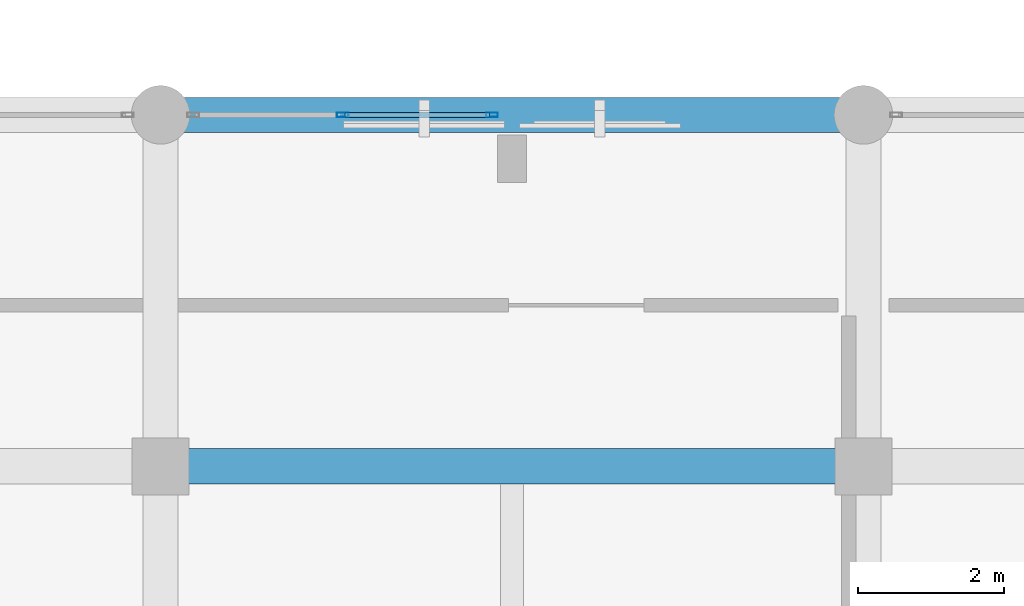
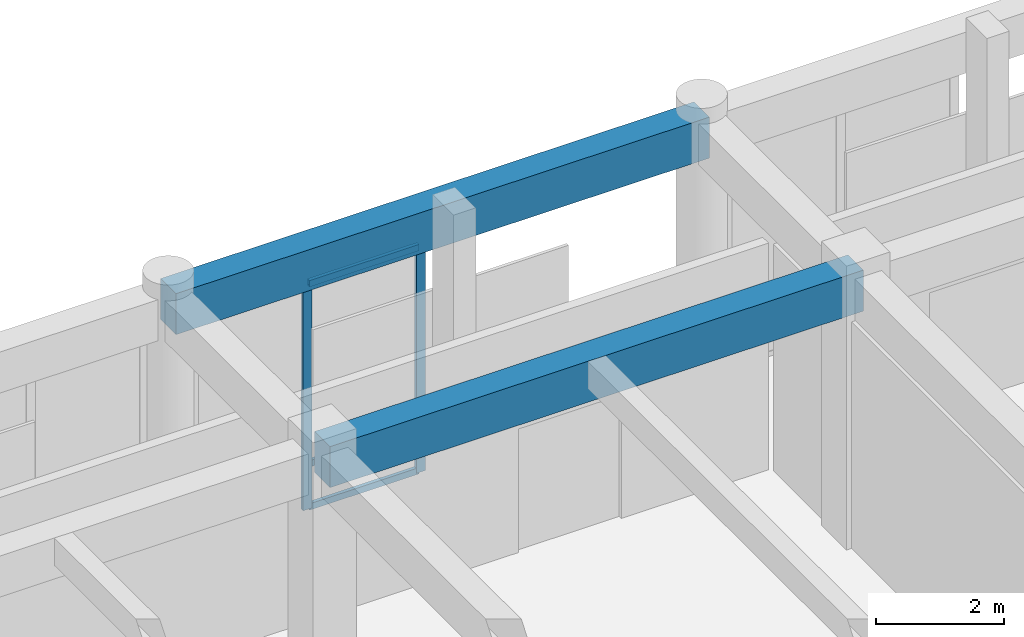
# One storey, part 27 of 134: 5 members, 2 beams, 1 element without a shape of its own.
"""IFC4 building model written with IfcOpenShell, lengths in metres."""

from ifc_helpers import new_model, si_unit, direction, frame, origin, origin_2d, place, context, subcontext, project, spatial, rectangle, hollow_rectangle, extrude, material, layer, layer_set, material_profile, profile_set, type_object, element, aggregate, save


model = new_model("IFC4")

# Units and contexts
model_context = context("Model", 3, precision=1e-05, world=origin(), true_north=direction((0.0, 1.0)))
body_context = subcontext(model_context, "Body", "Model", "MODEL_VIEW")
ifc_project = project(units=[si_unit("LENGTHUNIT", "METRE"), si_unit("AREAUNIT", "SQUARE_METRE"), si_unit("VOLUMEUNIT", "CUBIC_METRE"), si_unit("PLANEANGLEUNIT", "RADIAN"), si_unit("MASSUNIT", "GRAM", prefix="KILO")], contexts=[model_context])

# Site, building, storey
site_placement = place(None, origin())
site = spatial("IfcSite", under=ifc_project, at=site_placement, CompositionType="ELEMENT")
building_placement = place(site_placement, origin())
building = spatial("IfcBuilding", under=site, at=building_placement, Name="Nakhvara Creek Congress Hotel", CompositionType="ELEMENT")
storey_placement = place(building_placement, frame((0.0, 0.0, 6.0)))
storey = spatial("IfcBuildingStorey", under=building, at=storey_placement, Name="L01", CompositionType="ELEMENT", Elevation=6.0)

# Beams
ifc_material_1 = material(Name="Concrete C40/50", Category="concrete")
ifc_material_profile_1 = material_profile(ifc_material_1, rectangle(XDim=0.47998046875, YDim=0.780029296875, at=origin_2d()), Name="RC-BM 480x780", Category="LoadBearing")
ifc_profile_set_1 = profile_set([ifc_material_profile_1], Name="Concrete C40/50")
beam_type = type_object("IfcBeamType", Name="BM-RC-480X780", PredefinedType="BEAM", material=ifc_profile_set_1)
for number, where, z_axis, x_axis, name in (
    (1, (86.39990234375, 38.39990234375, 4.7099609375), (1.0, 0.0, 0.0), (0.0, 1.0, 0.0), "Beam B13-L01-1170"),
    (2, (86.39990234375, 43.199951171875, 4.7099609375), (1.0, 0.0, 0.0), (0.0, 1.0, 0.0), "Beam B13-L01-1171"),
):
    element("IfcBeam", number, at=place(storey_placement, frame(where, z_axis=z_axis, x_axis=x_axis)), inside=storey, type_object=beam_type, Name=name, PredefinedType="BEAM", context=body_context, shape_type="SweptSolid", body=[
        extrude(rectangle(XDim=0.47998046875, YDim=0.780029296875, at=origin_2d()), origin(), (0.0, 0.0, 1.0), 9.60009765625),
    ])

# Curtain wall, members
ifc_material_2 = material(Name="Bronze-anodised aluminium AW-6063-T6 and double-silver low-E glass", Category="aluminium")
ifc_layer = layer(ifc_material_2, 0.199951171875)
ifc_layer_set = layer_set([ifc_layer], Name="Bronze-anodised aluminium AW-6063-T6 and double-silver low-E glass")
curtain_wall_type = type_object("IfcCurtainWallType", Name="CW-POD-STICK", PredefinedType="NOTDEFINED", material=ifc_layer_set)
curtain_wall_placement = place(storey_placement, origin())
curtain_wall = element("IfcCurtainWall", 3, at=curtain_wall_placement, inside=storey, type_object=curtain_wall_type, Name="Curtain Wall CW019", PredefinedType="NOTDEFINED")
ifc_material_3 = material(Name="Bronze-anodised aluminium AW-6063-T6", Category="aluminium")
ifc_material_profile_2 = material_profile(ifc_material_3, hollow_rectangle(XDim=0.06494140625, YDim=0.159912109375, WallThickness=0.00390625, at=origin_2d()), Name="ALU-MULL 65x160x4", Category="LoadBearing")
ifc_profile_set_2 = profile_set([ifc_material_profile_2], Name="Bronze-anodised aluminium AW-6063-T6")
member_type_1 = type_object("IfcMemberType", Name="CW-MULL-160", PredefinedType="MULLION", material=ifc_profile_set_2)
member_1_placement = place(storey_placement, frame((88.887451171875, 43.199951171875, 0.0), z_axis=(0.0, 0.0, 1.0), x_axis=(0.0, 1.0, 0.0)))
member_1 = element("IfcMember", 4, at=member_1_placement, type_object=member_type_1, Name="CW019 mullion 2", PredefinedType="MULLION", context=body_context, shape_type="SweptSolid", body=[
    extrude(hollow_rectangle(XDim=0.06494140625, YDim=0.159912109375, WallThickness=0.00390625, at=origin_2d()), origin(), (0.0, 0.0, 1.0), 4.31201171875),
])
member_2_placement = place(storey_placement, frame((90.927490234375, 43.199951171875, 0.0), z_axis=(0.0, 0.0, 1.0), x_axis=(0.0, 1.0, 0.0)))
member_2 = element("IfcMember", 5, at=member_2_placement, type_object=member_type_1, Name="CW019 mullion 3", PredefinedType="MULLION", context=body_context, shape_type="SweptSolid", body=[
    extrude(hollow_rectangle(XDim=0.06494140625, YDim=0.159912109375, WallThickness=0.00390625, at=origin_2d()), origin(), (0.0, 0.0, 1.0), 4.31201171875),
])
ifc_material_profile_3 = material_profile(ifc_material_3, hollow_rectangle(XDim=0.06494140625, YDim=0.1201171875, WallThickness=0.00390625, at=origin_2d()), Name="ALU-TRAN 65x120x4", Category="LoadBearing")
ifc_profile_set_3 = profile_set([ifc_material_profile_3], Name="Bronze-anodised aluminium AW-6063-T6")
member_type_2 = type_object("IfcMemberType", Name="CW-TRAN-120", PredefinedType="USERDEFINED", material=ifc_profile_set_3)
member_3_placement = place(storey_placement, frame((88.919921875, 43.199951171875, 0.032470703125), z_axis=(1.0, 0.0, 0.0), x_axis=(0.0, 1.0, 0.0)))
member_3 = element("IfcMember", 6, at=member_3_placement, type_object=member_type_2, Name="CW019 transom 2.1", ObjectType="TRANSOM", PredefinedType="USERDEFINED", context=body_context, shape_type="SweptSolid", body=[
    extrude(hollow_rectangle(XDim=0.06494140625, YDim=0.1201171875, WallThickness=0.00390625, at=origin_2d()), origin(), (0.0, 0.0, 1.0), 1.97509765625),
])
member_4_placement = place(storey_placement, frame((88.919921875, 43.199951171875, 0.85009765625), z_axis=(1.0, 0.0, 0.0), x_axis=(0.0, 1.0, 0.0)))
member_4 = element("IfcMember", 7, at=member_4_placement, type_object=member_type_2, Name="CW019 transom 2.2", ObjectType="TRANSOM", PredefinedType="USERDEFINED", context=body_context, shape_type="SweptSolid", body=[
    extrude(hollow_rectangle(XDim=0.06494140625, YDim=0.1201171875, WallThickness=0.00390625, at=origin_2d()), origin(), (0.0, 0.0, 1.0), 1.97509765625),
])
member_5_placement = place(storey_placement, frame((88.919921875, 43.199951171875, 4.279541015625), z_axis=(1.0, 0.0, 0.0), x_axis=(0.0, 1.0, 0.0)))
member_5 = element("IfcMember", 8, at=member_5_placement, type_object=member_type_2, Name="CW019 transom 2.3", ObjectType="TRANSOM", PredefinedType="USERDEFINED", context=body_context, shape_type="SweptSolid", body=[
    extrude(hollow_rectangle(XDim=0.06494140625, YDim=0.1201171875, WallThickness=0.00390625, at=origin_2d()), origin(), (0.0, 0.0, 1.0), 1.97509765625),
])
aggregate(curtain_wall, [member_1, member_2, member_3, member_4, member_5])

save(model, "model.ifc")
